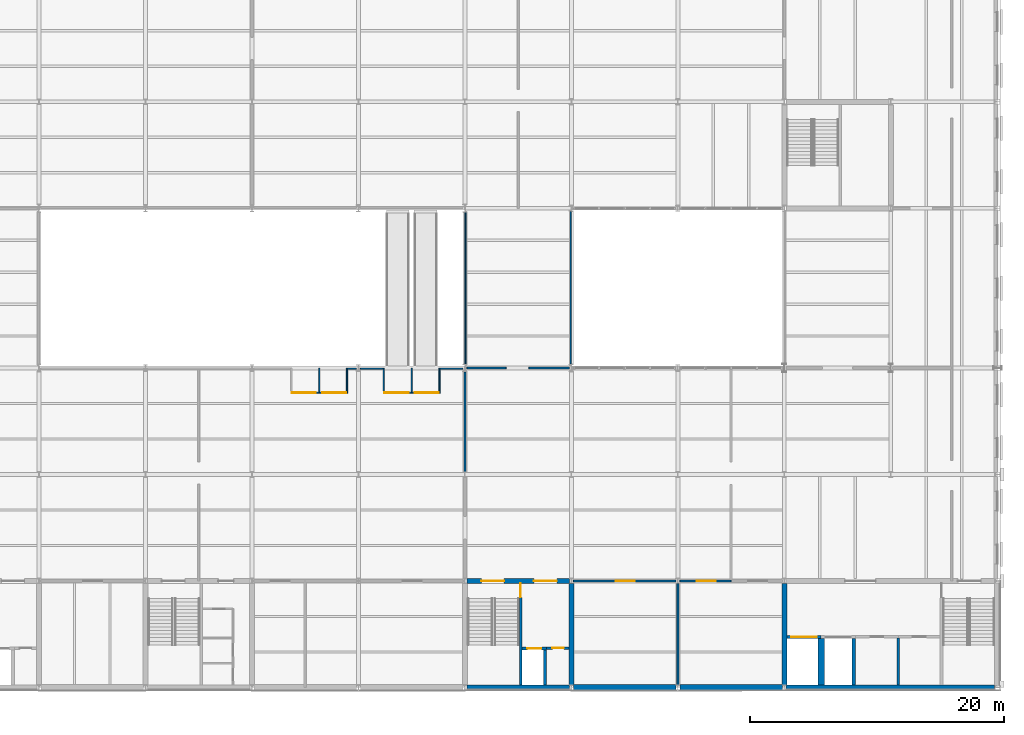
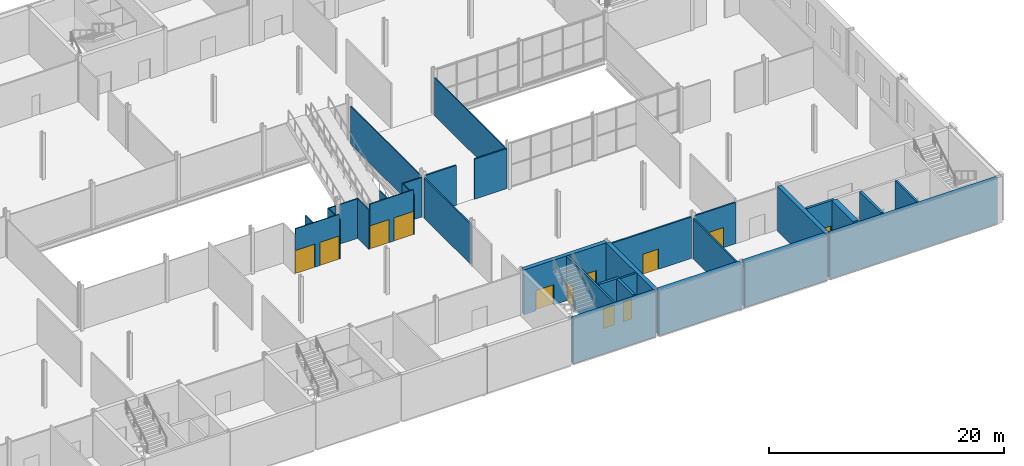
# One storey, part 31 of 57: 33 walls, 12 doors, 12 openings.
"""IFC4 building model written with IfcOpenShell, lengths in metres."""

from ifc_helpers import new_model, si_unit, direction, frame, frame_2d, origin, place, context, subcontext, project, spatial, rectangle, extrude, material, layer, layer_set, type_object, element, fill, save


model = new_model("IFC4")

# Units and contexts
model_context = context("Model", 3, precision=1e-05, world=origin(), true_north=direction((0.0, 1.0)))
body_context = subcontext(model_context, "Body", "Model", "MODEL_VIEW")
ifc_project = project(units=[si_unit("LENGTHUNIT", "METRE"), si_unit("AREAUNIT", "SQUARE_METRE"), si_unit("VOLUMEUNIT", "CUBIC_METRE"), si_unit("PLANEANGLEUNIT", "RADIAN"), si_unit("MASSUNIT", "GRAM", prefix="KILO")], contexts=[model_context])

# Site, building, storey
site_placement = place(None, origin())
site = spatial("IfcSite", under=ifc_project, at=site_placement, CompositionType="ELEMENT")
building_placement = place(site_placement, origin())
building = spatial("IfcBuilding", under=site, at=building_placement, Name="Galleria Vessillo Department Store", CompositionType="ELEMENT")
storey_placement = place(building_placement, frame((0.0, 0.0, 21.0)))
storey = spatial("IfcBuildingStorey", under=building, at=storey_placement, Name="L04", CompositionType="ELEMENT", Elevation=21.0)

# Walls
ifc_material_1 = material(Name="Fire-resisting glass in steel frame S355 J2", Category="steel")
ifc_layer_1 = layer(ifc_material_1, 0.10009765625)
ifc_layer_set_1 = layer_set([ifc_layer_1], Name="Fire-resisting glass in steel frame S355 J2")
wall_type_1 = type_object("IfcWallType", Name="Fire-resisting glazed screen EI 120-Sa 100 mm", PredefinedType="PARTITIONING", material=ifc_layer_set_1)
wall_1_placement = place(storey_placement, frame((66.349853515625, 25.14990234375, 0.0), z_axis=(0.0, 0.0, 1.0), x_axis=(1.0, 0.0, 0.0)))
element("IfcWall", 1, at=wall_1_placement, inside=storey, type_object=wall_type_1, Name="Fire screen, atrium edge L04", PredefinedType="PARTITIONING", context=body_context, shape_type="SweptSolid", body=[
    extrude(rectangle(XDim=0.697265625, YDim=0.10009765625, at=frame_2d((0.3486328125, 0.0))), origin(), (0.0, 0.0, 1.0), 4.110107421875),
])
wall_2_placement = place(storey_placement, frame((67.35302734375, 25.14990234375, 0.0), z_axis=(0.0, 0.0, 1.0), x_axis=(1.0, 0.0, 0.0)))
element("IfcWall", 2, at=wall_2_placement, inside=storey, type_object=wall_type_1, Name="Fire screen, atrium edge L04", PredefinedType="PARTITIONING", context=body_context, shape_type="SweptSolid", body=[
    extrude(rectangle(XDim=1.797119140625, YDim=0.10009765625, at=frame_2d((0.8984375, 0.0))), origin(), (0.0, 0.0, 1.0), 4.110107421875),
])
wall_3_placement = place(storey_placement, frame((73.64990234375, 25.14990234375, 0.0), z_axis=(0.0, 0.0, 1.0), x_axis=(1.0, 0.0, 0.0)))
element("IfcWall", 3, at=wall_3_placement, inside=storey, type_object=wall_type_1, Name="Fire screen, atrium edge L04", PredefinedType="PARTITIONING", context=body_context, shape_type="SweptSolid", body=[
    extrude(rectangle(XDim=1.797607421875, YDim=0.10009765625, at=frame_2d((0.89892578125, 0.0))), origin(), (0.0, 0.0, 1.0), 4.110107421875),
])
wall_4_placement = place(storey_placement, frame((75.64990234375, 25.510009765625, 0.0), z_axis=(0.0, 0.0, 1.0), x_axis=(0.0, 1.0, 0.0)))
element("IfcWall", 4, at=wall_4_placement, inside=storey, type_object=wall_type_1, Name="Fire screen, bridge face L04", PredefinedType="PARTITIONING", context=body_context, shape_type="SweptSolid", body=[
    extrude(rectangle(XDim=11.97998046875, YDim=0.10009765625, at=frame_2d((5.989990234375, 0.0))), origin(), (0.0, 0.0, 1.0), 3.960205078125),
])
wall_5_placement = place(storey_placement, frame((83.949951171875, 25.510009765625, 0.0), z_axis=(0.0, 0.0, 1.0), x_axis=(0.0, 1.0, 0.0)))
element("IfcWall", 5, at=wall_5_placement, inside=storey, type_object=wall_type_1, Name="Fire screen, bridge face L04", PredefinedType="PARTITIONING", context=body_context, shape_type="SweptSolid", body=[
    extrude(rectangle(XDim=12.051025390625, YDim=0.10009765625, at=frame_2d((6.025390625, 0.0))), origin(), (0.0, 0.0, 1.0), 3.960205078125),
])
wall_6_placement = place(storey_placement, frame((64.10009765625, 25.199951171875, 0.0), z_axis=(0.0, 0.0, 1.0), x_axis=(0.0, -1.0, 0.0)))
element("IfcWall", 6, at=wall_6_placement, inside=storey, type_object=wall_type_1, Name="Fire screen, landing alcove side L04", PredefinedType="PARTITIONING", context=body_context, shape_type="SweptSolid", body=[
    extrude(rectangle(XDim=1.89990234375, YDim=0.10009765625, at=frame_2d((0.949951171875, 0.0))), origin(), (0.0, 0.0, 1.0), 4.110107421875),
])
for number, where, z_axis, x_axis, name in (
    (7, (66.2998046875, 25.199951171875, 0.0), (0.0, 0.0, 1.0), (0.0, -1.0, 0.0), "Fire screen, landing alcove side L04"),
    (8, (69.2001953125, 25.199951171875, 0.0), (0.0, 0.0, 1.0), (0.0, -1.0, 0.0), "Fire screen, landing alcove side L04"),
):
    element("IfcWall", number, at=place(storey_placement, frame(where, z_axis=z_axis, x_axis=x_axis)), inside=storey, type_object=wall_type_1, Name=name, PredefinedType="PARTITIONING", context=body_context, shape_type="SweptSolid", body=[
        extrude(rectangle(XDim=2.0, YDim=0.10009765625, at=frame_2d((1.0, 0.0))), origin(), (0.0, 0.0, 1.0), 4.110107421875),
    ])
wall_7_placement = place(storey_placement, frame((71.400146484375, 25.199951171875, 0.0), z_axis=(0.0, 0.0, 1.0), x_axis=(0.0, -1.0, 0.0)))
element("IfcWall", 9, at=wall_7_placement, inside=storey, type_object=wall_type_1, Name="Fire screen, landing alcove side L04", PredefinedType="PARTITIONING", context=body_context, shape_type="SweptSolid", body=[
    extrude(rectangle(XDim=1.89990234375, YDim=0.10009765625, at=frame_2d((0.949951171875, 0.0))), origin(), (0.0, 0.0, 1.0), 4.110107421875),
])
wall_8_placement = place(storey_placement, frame((73.599853515625, 25.199951171875, 0.0), z_axis=(0.0, 0.0, 1.0), x_axis=(0.0, -1.0, 0.0)))
element("IfcWall", 10, at=wall_8_placement, inside=storey, type_object=wall_type_1, Name="Fire screen, landing alcove side L04", PredefinedType="PARTITIONING", context=body_context, shape_type="SweptSolid", body=[
    extrude(rectangle(XDim=2.0, YDim=0.10009765625, at=frame_2d((1.0, 0.0))), origin(), (0.0, 0.0, 1.0), 4.110107421875),
])

# Wall, openings, doors
wall_9_placement = place(storey_placement, frame((61.9501953125, 23.25, 0.0), z_axis=(0.0, 0.0, 1.0), x_axis=(1.0, 0.0, 0.0)))
wall_9 = element("IfcWall", 11, at=wall_9_placement, inside=storey, type_object=wall_type_1, Name="Fire screen, landing alcove back wall L04", PredefinedType="PARTITIONING", context=body_context, shape_type="SweptSolid", body=[
    extrude(rectangle(XDim=4.299560546875, YDim=0.10009765625, at=frame_2d((2.14990234375, 0.0))), origin(), (0.0, 0.0, 1.0), 4.64990234375),
])
opening_1_placement = place(wall_9_placement, origin())
opening_1 = element("IfcOpeningElement", 12, at=opening_1_placement, cuts=wall_9, Name="Opening D5363", PredefinedType="OPENING", context=body_context, shape_type="SweptSolid", body=[
    extrude(rectangle(XDim=1.90990234375, YDim=2.39990234375, at=frame_2d((0.945068359375, 1.199951171875))), frame((0.0, 0.06005859375, 0.0), z_axis=(0.0, -1.0, 0.0), x_axis=(1.0, 0.0, 0.0)), (0.0, 0.0, 1.0), 0.1201171875),
])
opening_2_placement = place(wall_9_placement, frame((2.399658203125, 0.0, 0.0)))
opening_2 = element("IfcOpeningElement", 13, at=opening_2_placement, cuts=wall_9, Name="Opening D5364", PredefinedType="OPENING", context=body_context, shape_type="SweptSolid", body=[
    extrude(rectangle(XDim=1.90990234375, YDim=2.39990234375, at=frame_2d((0.954833984375, 1.199951171875))), frame((0.0, 0.06005859375, 0.0), z_axis=(0.0, -1.0, 0.0), x_axis=(1.0, 0.0, 0.0)), (0.0, 0.0, 1.0), 0.1201171875),
])
ifc_material_2 = material(Name="Fire-resisting glazed door leaf in steel frame S355 J2", Category="steel")
door_type_1 = type_object("IfcDoorType", Name="Fire sliding door EI2 120-Sa 1900 x 2400 mm", OperationType="DOUBLE_DOOR_SLIDING", PredefinedType="DOOR", material=ifc_material_2)
door_1_placement = place(opening_1_placement, frame((1.89990234375, 0.0, 0.0), z_axis=(0.0, 0.0, 1.0), x_axis=(-1.0, 0.0, 0.0)))
door_1 = element("IfcDoor", 14, at=door_1_placement, inside=storey, type_object=door_type_1, Name="Fire sliding door, escalator landing L04-01", OperationType="DOUBLE_DOOR_SLIDING", OverallHeight=2.39990234375, OverallWidth=1.89990234375, PredefinedType="DOOR", context=body_context, shape_type="SweptSolid", body=[
    extrude(rectangle(XDim=1.89990234375, YDim=2.39990234375, at=frame_2d((0.949951171875, 1.199951171875))), frame((0.0, 0.02490234375, 0.0), z_axis=(0.0, -1.0, 0.0), x_axis=(1.0, 0.0, 0.0)), (0.0, 0.0, 1.0), 0.050048828125),
])
fill(opening_1, door_1)
door_2_placement = place(opening_2_placement, frame((1.89990234375, 0.0, 0.0), z_axis=(0.0, 0.0, 1.0), x_axis=(-1.0, 0.0, 0.0)))
door_2 = element("IfcDoor", 15, at=door_2_placement, inside=storey, type_object=door_type_1, Name="Fire sliding door, escalator landing L04-02", OperationType="DOUBLE_DOOR_SLIDING", OverallHeight=2.39990234375, OverallWidth=1.89990234375, PredefinedType="DOOR", context=body_context, shape_type="SweptSolid", body=[
    extrude(rectangle(XDim=1.89990234375, YDim=2.39990234375, at=frame_2d((0.949951171875, 1.199951171875))), frame((0.0, 0.02490234375, 0.0), z_axis=(0.0, -1.0, 0.0), x_axis=(1.0, 0.0, 0.0)), (0.0, 0.0, 1.0), 0.050048828125),
])
fill(opening_2, door_2)

wall_10_placement = place(storey_placement, frame((69.250244140625, 23.25, 0.0), z_axis=(0.0, 0.0, 1.0), x_axis=(1.0, 0.0, 0.0)))
wall_10 = element("IfcWall", 16, at=wall_10_placement, inside=storey, type_object=wall_type_1, Name="Fire screen, landing alcove back wall L04", PredefinedType="PARTITIONING", context=body_context, shape_type="SweptSolid", body=[
    extrude(rectangle(XDim=4.299560546875, YDim=0.10009765625, at=frame_2d((2.14990234375, 0.0))), origin(), (0.0, 0.0, 1.0), 4.64990234375),
])
opening_3_placement = place(wall_10_placement, origin())
opening_3 = element("IfcOpeningElement", 17, at=opening_3_placement, cuts=wall_10, Name="Opening D5365", PredefinedType="OPENING", context=body_context, shape_type="SweptSolid", body=[
    extrude(rectangle(XDim=1.90990234375, YDim=2.39990234375, at=frame_2d((0.945068359375, 1.199951171875))), frame((0.0, 0.06005859375, 0.0), z_axis=(0.0, -1.0, 0.0), x_axis=(1.0, 0.0, 0.0)), (0.0, 0.0, 1.0), 0.1201171875),
])
opening_4_placement = place(wall_10_placement, frame((2.399658203125, 0.0, 0.0)))
opening_4 = element("IfcOpeningElement", 18, at=opening_4_placement, cuts=wall_10, Name="Opening D5366", PredefinedType="OPENING", context=body_context, shape_type="SweptSolid", body=[
    extrude(rectangle(XDim=1.90990234375, YDim=2.39990234375, at=frame_2d((0.954833984375, 1.199951171875))), frame((0.0, 0.06005859375, 0.0), z_axis=(0.0, -1.0, 0.0), x_axis=(1.0, 0.0, 0.0)), (0.0, 0.0, 1.0), 0.1201171875),
])
door_3_placement = place(opening_3_placement, frame((1.89990234375, 0.0, 0.0), z_axis=(0.0, 0.0, 1.0), x_axis=(-1.0, 0.0, 0.0)))
door_3 = element("IfcDoor", 19, at=door_3_placement, inside=storey, type_object=door_type_1, Name="Fire sliding door, escalator landing L04-03", OperationType="DOUBLE_DOOR_SLIDING", OverallHeight=2.39990234375, OverallWidth=1.89990234375, PredefinedType="DOOR", context=body_context, shape_type="SweptSolid", body=[
    extrude(rectangle(XDim=1.89990234375, YDim=2.39990234375, at=frame_2d((0.949951171875, 1.199951171875))), frame((0.0, 0.02490234375, 0.0), z_axis=(0.0, -1.0, 0.0), x_axis=(1.0, 0.0, 0.0)), (0.0, 0.0, 1.0), 0.050048828125),
])
fill(opening_3, door_3)
door_4_placement = place(opening_4_placement, frame((1.89990234375, 0.0, 0.0), z_axis=(0.0, 0.0, 1.0), x_axis=(-1.0, 0.0, 0.0)))
door_4 = element("IfcDoor", 20, at=door_4_placement, inside=storey, type_object=door_type_1, Name="Fire sliding door, escalator landing L04-04", OperationType="DOUBLE_DOOR_SLIDING", OverallHeight=2.39990234375, OverallWidth=1.89990234375, PredefinedType="DOOR", context=body_context, shape_type="SweptSolid", body=[
    extrude(rectangle(XDim=1.89990234375, YDim=2.39990234375, at=frame_2d((0.949951171875, 1.199951171875))), frame((0.0, 0.02490234375, 0.0), z_axis=(0.0, -1.0, 0.0), x_axis=(1.0, 0.0, 0.0)), (0.0, 0.0, 1.0), 0.050048828125),
])
fill(opening_4, door_4)

# Wall
ifc_material_3 = material(Name="Solid clay block masonry", Category="masonry")
ifc_layer_2 = layer(ifc_material_3, 0.5)
ifc_layer_set_2 = layer_set([ifc_layer_2], Name="Solid clay block masonry")
wall_type_2 = type_object("IfcWallType", Name="Lift shaft partition wall 500 mm", PredefinedType="SOLIDWALL", material=ifc_layer_set_2)
wall_11_placement = place(storey_placement, frame((103.699951171875, 0.199951171875, 0.0), z_axis=(0.0, 0.0, 1.0), x_axis=(0.0, 1.0, 0.0)))
element("IfcWall", 21, at=wall_11_placement, inside=storey, type_object=wall_type_2, Name="Lift shaft partition wall GL1 L04", PredefinedType="SOLIDWALL", context=body_context, shape_type="SweptSolid", body=[
    extrude(rectangle(XDim=3.650146484375, YDim=0.5, at=frame_2d((1.8251953125, 0.0))), origin(), (0.0, 0.0, 1.0), 4.800048828125),
])

# Wall, opening, door
ifc_material_4 = material(Name="Solid clay block masonry", Category="masonry")
ifc_layer_3 = layer(ifc_material_4, 0.25)
ifc_layer_set_3 = layer_set([ifc_layer_3], Name="Solid clay block masonry")
wall_type_3 = type_object("IfcWallType", Name="Lift shaft wall 250 mm", PredefinedType="SOLIDWALL", material=ifc_layer_set_3)
wall_12_placement = place(storey_placement, frame((80.10009765625, 3.074951171875, 0.0), z_axis=(0.0, 0.0, 1.0), x_axis=(1.0, 0.0, 0.0)))
wall_12 = element("IfcWall", 22, at=wall_12_placement, inside=storey, type_object=wall_type_3, Name="Lift shaft wall LP5 landing side L04", PredefinedType="SOLIDWALL", context=body_context, shape_type="SweptSolid", body=[
    extrude(rectangle(XDim=1.949951171875, YDim=0.25, at=frame_2d((0.97509765625, 0.0))), origin(), (0.0, 0.0, 1.0), 4.800048828125),
])
opening_5_placement = place(wall_12_placement, frame((0.4248046875, 0.0, 0.0)))
opening_5 = element("IfcOpeningElement", 23, at=opening_5_placement, cuts=wall_12, Name="Opening LD039", PredefinedType="OPENING", context=body_context, shape_type="SweptSolid", body=[
    extrude(rectangle(XDim=1.10009765625, YDim=2.10009765625, at=frame_2d((0.550048828125, 1.050048828125))), frame((0.0, 0.135009765625, 0.0), z_axis=(0.0, -1.0, 0.0), x_axis=(1.0, 0.0, 0.0)), (0.0, 0.0, 1.0), 0.27001953125),
])
ifc_material_5 = material(Name="Stainless steel lift door panel", Category="steel")
door_type_2 = type_object("IfcDoorType", Name="Lift landing door LD110 sliding 1100 x 2100", OperationType="SLIDING_TO_LEFT", PredefinedType="DOOR", material=ifc_material_5)
door_5_placement = place(opening_5_placement, origin())
door_5 = element("IfcDoor", 24, at=door_5_placement, inside=storey, type_object=door_type_2, Name="Lift landing door LP5 L04", OperationType="SLIDING_TO_LEFT", OverallHeight=2.10009765625, OverallWidth=1.10009765625, PredefinedType="DOOR", context=body_context, shape_type="SweptSolid", body=[
    extrude(rectangle(XDim=1.10009765625, YDim=2.10009765625, at=frame_2d((0.550048828125, 1.050048828125))), frame((0.0, 0.02490234375, 0.0), z_axis=(0.0, -1.0, 0.0), x_axis=(1.0, 0.0, 0.0)), (0.0, 0.0, 1.0), 0.050048828125),
])
fill(opening_5, door_5)

# Wall
wall_13_placement = place(storey_placement, frame((81.925048828125, 0.199951171875, 0.0), z_axis=(0.0, 0.0, 1.0), x_axis=(0.0, 1.0, 0.0)))
element("IfcWall", 25, at=wall_13_placement, inside=storey, type_object=wall_type_3, Name="Lift shaft wall LP5 L04", PredefinedType="SOLIDWALL", context=body_context, shape_type="SweptSolid", body=[
    extrude(rectangle(XDim=2.75, YDim=0.25, at=frame_2d((1.375, 0.0))), origin(), (0.0, 0.0, 1.0), 4.800048828125),
])

# Wall, opening, door
wall_14_placement = place(storey_placement, frame((101.0, 3.97509765625, 0.0), z_axis=(0.0, 0.0, 1.0), x_axis=(1.0, 0.0, 0.0)))
wall_14 = element("IfcWall", 26, at=wall_14_placement, inside=storey, type_object=wall_type_3, Name="Lift shaft wall GL1 landing side L04", PredefinedType="SOLIDWALL", context=body_context, shape_type="SweptSolid", body=[
    extrude(rectangle(XDim=2.699951171875, YDim=0.25, at=frame_2d((1.35009765625, 0.0))), origin(), (0.0, 0.0, 1.0), 4.800048828125),
])
opening_6_placement = place(wall_14_placement, frame((0.35009765625, 0.0, 0.0)))
opening_6 = element("IfcOpeningElement", 27, at=opening_6_placement, cuts=wall_14, Name="Opening LD061", PredefinedType="OPENING", context=body_context, shape_type="SweptSolid", body=[
    extrude(rectangle(XDim=2.0, YDim=2.199951171875, at=frame_2d((1.0, 1.10009765625))), frame((0.0, 0.135009765625, 0.0), z_axis=(0.0, -1.0, 0.0), x_axis=(1.0, 0.0, 0.0)), (0.0, 0.0, 1.0), 0.27001953125),
])
ifc_material_6 = material(Name="Stainless steel lift door panel", Category="steel")
door_type_3 = type_object("IfcDoorType", Name="Lift landing door LD200 sliding 2000 x 2200", OperationType="DOUBLE_DOOR_SLIDING", PredefinedType="DOOR", material=ifc_material_6)
door_6_placement = place(opening_6_placement, origin())
door_6 = element("IfcDoor", 28, at=door_6_placement, inside=storey, type_object=door_type_3, Name="Lift landing door GL1 L04", OperationType="DOUBLE_DOOR_SLIDING", OverallHeight=2.199951171875, OverallWidth=2.0, PredefinedType="DOOR", context=body_context, shape_type="SweptSolid", body=[
    extrude(rectangle(XDim=2.0, YDim=2.199951171875, at=frame_2d((1.0, 1.10009765625))), frame((0.0, 0.02490234375, 0.0), z_axis=(0.0, -1.0, 0.0), x_axis=(1.0, 0.0, 0.0)), (0.0, 0.0, 1.0), 0.050048828125),
])
fill(opening_6, door_6)

# Wall
wall_15_placement = place(storey_placement, frame((106.27490234375, 0.199951171875, 0.0), z_axis=(0.0, 0.0, 1.0), x_axis=(0.0, 1.0, 0.0)))
element("IfcWall", 29, at=wall_15_placement, inside=storey, type_object=wall_type_3, Name="Lift shaft wall GL2 L04", PredefinedType="SOLIDWALL", context=body_context, shape_type="SweptSolid", body=[
    extrude(rectangle(XDim=3.650146484375, YDim=0.25, at=frame_2d((1.8251953125, 0.0))), origin(), (0.0, 0.0, 1.0), 4.800048828125),
])

# Wall, openings, doors
ifc_material_7 = material(Name="Concrete C32/40 reinforced", Category="concrete")
ifc_layer_4 = layer(ifc_material_7, 0.39990234375)
ifc_layer_set_4 = layer_set([ifc_layer_4], Name="Concrete C32/40 reinforced")
wall_type_4 = type_object("IfcWallType", Name="Reinforced concrete core wall 400 mm", PredefinedType="SHEAR", material=ifc_layer_set_4)
wall_16_placement = place(storey_placement, frame((75.75, 8.39990234375, 0.0), z_axis=(0.0, 0.0, 1.0), x_axis=(1.0, 0.0, 0.0)))
wall_16 = element("IfcWall", 30, at=wall_16_placement, inside=storey, type_object=wall_type_4, Name="S-CW-PC-SE-INTERIOR-L04", PredefinedType="SHEAR", context=body_context, shape_type="SweptSolid", body=[
    extrude(rectangle(XDim=8.10009765625, YDim=0.39990234375, at=frame_2d((4.050048828125, 0.0))), origin(), (0.0, 0.0, 1.0), 4.650146484375),
])
opening_7_placement = place(wall_16_placement, frame((1.14990234375, 0.0, 0.0)))
opening_7 = element("IfcOpeningElement", 31, at=opening_7_placement, cuts=wall_16, Name="Opening D5152", PredefinedType="OPENING", context=body_context, shape_type="SweptSolid", body=[
    extrude(rectangle(XDim=1.800048828125, YDim=2.10009765625, at=frame_2d((0.89990234375, 1.050048828125))), frame((0.0, 0.2099609375, 0.0), z_axis=(0.0, -1.0, 0.0), x_axis=(1.0, 0.0, 0.0)), (0.0, 0.0, 1.0), 0.419921875),
])
opening_8_placement = place(wall_16_placement, frame((5.2998046875, 0.0, 0.0)))
opening_8 = element("IfcOpeningElement", 32, at=opening_8_placement, cuts=wall_16, Name="Opening D5153", PredefinedType="OPENING", context=body_context, shape_type="SweptSolid", body=[
    extrude(rectangle(XDim=1.800048828125, YDim=2.10009765625, at=frame_2d((0.89990234375, 1.050048828125))), frame((0.0, 0.2099609375, 0.0), z_axis=(0.0, -1.0, 0.0), x_axis=(1.0, 0.0, 0.0)), (0.0, 0.0, 1.0), 0.419921875),
])
ifc_material_8 = material(Name="Fire-rated steel door leaf", Category="steel")
door_type_4 = type_object("IfcDoorType", Name="Door D180F double leaf 1800 x 2100", OperationType="DOUBLE_DOOR_SINGLE_SWING", PredefinedType="DOOR", material=ifc_material_8)
door_7_placement = place(opening_7_placement, frame((1.800048828125, 0.0, 0.0), z_axis=(0.0, 0.0, 1.0), x_axis=(-1.0, 0.0, 0.0)))
door_7 = element("IfcDoor", 33, at=door_7_placement, inside=storey, type_object=door_type_4, Name="Lobby door PC-SE-ST-FLOOR L04", OperationType="DOUBLE_DOOR_SINGLE_SWING", OverallHeight=2.10009765625, OverallWidth=1.800048828125, PredefinedType="DOOR", context=body_context, shape_type="SweptSolid", body=[
    extrude(rectangle(XDim=1.800048828125, YDim=2.10009765625, at=frame_2d((0.89990234375, 1.050048828125))), frame((0.0, 0.02490234375, 0.0), z_axis=(0.0, -1.0, 0.0), x_axis=(1.0, 0.0, 0.0)), (0.0, 0.0, 1.0), 0.050048828125),
])
fill(opening_7, door_7)
door_8_placement = place(opening_8_placement, frame((1.800048828125, 0.0, 0.0), z_axis=(0.0, 0.0, 1.0), x_axis=(-1.0, 0.0, 0.0)))
door_8 = element("IfcDoor", 34, at=door_8_placement, inside=storey, type_object=door_type_4, Name="Lobby door PC-SE-LOBBY-FLOOR L04", OperationType="DOUBLE_DOOR_SINGLE_SWING", OverallHeight=2.10009765625, OverallWidth=1.800048828125, PredefinedType="DOOR", context=body_context, shape_type="SweptSolid", body=[
    extrude(rectangle(XDim=1.800048828125, YDim=2.10009765625, at=frame_2d((0.89990234375, 1.050048828125))), frame((0.0, 0.02490234375, 0.0), z_axis=(0.0, -1.0, 0.0), x_axis=(1.0, 0.0, 0.0)), (0.0, 0.0, 1.0), 0.050048828125),
])
fill(opening_8, door_8)

# Walls
for number, where, z_axis, x_axis, name in (
    (35, (84.0, 0.199951171875, 0.0), (0.0, 0.0, 1.0), (0.0, 1.0, 0.0), "S-CW-PC-SE-EAST-L04"),
    (36, (100.800048828125, 0.199951171875, 0.0), (0.0, 0.0, 1.0), (0.0, 1.0, 0.0), "S-CW-GC-WEST-L04"),
):
    element("IfcWall", number, at=place(storey_placement, frame(where, z_axis=z_axis, x_axis=x_axis)), inside=storey, type_object=wall_type_4, Name=name, PredefinedType="SHEAR", context=body_context, shape_type="SweptSolid", body=[
        extrude(rectangle(XDim=8.0, YDim=0.39990234375, at=frame_2d((4.0, 0.0))), origin(), (0.0, 0.0, 1.0), 4.650146484375),
    ])
ifc_material_9 = material(Name="Concrete C32/40 reinforced", Category="concrete")
ifc_layer_5 = layer(ifc_material_9, 0.39990234375)
ifc_layer_set_5 = layer_set([ifc_layer_5], Name="Concrete C32/40 reinforced")
wall_type_5 = type_object("IfcWallType", Name="Reinforced concrete core wall 400 mm, external", PredefinedType="SHEAR", material=ifc_layer_set_5)
wall_17_placement = place(storey_placement, frame((75.75, 0.0, 0.0), z_axis=(0.0, 0.0, 1.0), x_axis=(1.0, 0.0, 0.0)))
element("IfcWall", 37, at=wall_17_placement, inside=storey, type_object=wall_type_5, Name="S-CW-PC-SE-PARTY-L04", PredefinedType="SHEAR", context=body_context, shape_type="SweptSolid", body=[
    extrude(rectangle(XDim=8.10009765625, YDim=0.39990234375, at=frame_2d((4.050048828125, 0.0))), origin(), (0.0, 0.0, 1.0), 4.650146484375),
])
wall_18_placement = place(storey_placement, frame((100.949951171875, 0.0, 0.0), z_axis=(0.0, 0.0, 1.0), x_axis=(1.0, 0.0, 0.0)))
element("IfcWall", 38, at=wall_18_placement, inside=storey, type_object=wall_type_5, Name="S-CW-GC-PARTY-L04", PredefinedType="SHEAR", context=body_context, shape_type="SweptSolid", body=[
    extrude(rectangle(XDim=16.4501953125, YDim=0.39990234375, at=frame_2d((8.22509765625, 0.0))), origin(), (0.0, 0.0, 1.0), 4.650146484375),
])
ifc_material_10 = material(Name="Concrete C32/40 reinforced", Category="concrete")
ifc_layer_6 = layer(ifc_material_10, 0.5)
ifc_layer_set_6 = layer_set([ifc_layer_6], Name="Concrete C32/40 reinforced")
wall_type_6 = type_object("IfcWallType", Name="Reinforced concrete party wall 500 mm", PredefinedType="SHEAR", material=ifc_layer_set_6)
wall_19_placement = place(storey_placement, frame((84.14990234375, 0.0, 0.0), z_axis=(0.0, 0.0, 1.0), x_axis=(1.0, 0.0, 0.0)))
element("IfcWall", 39, at=wall_19_placement, inside=storey, type_object=wall_type_6, Name="S-PS-L04-07", PredefinedType="SHEAR", context=body_context, shape_type="SweptSolid", body=[
    extrude(rectangle(XDim=8.10009765625, YDim=0.5, at=frame_2d((4.050048828125, 0.0))), origin(), (0.0, 0.0, 1.0), 4.650146484375),
])
wall_20_placement = place(storey_placement, frame((92.5498046875, 0.0, 0.0), z_axis=(0.0, 0.0, 1.0), x_axis=(1.0, 0.0, 0.0)))
element("IfcWall", 40, at=wall_20_placement, inside=storey, type_object=wall_type_6, Name="S-PS-L04-08", PredefinedType="SHEAR", context=body_context, shape_type="SweptSolid", body=[
    extrude(rectangle(XDim=8.100341796875, YDim=0.5, at=frame_2d((4.05029296875, 0.0))), origin(), (0.0, 0.0, 1.0), 4.650146484375),
])

# Wall, opening, door
ifc_material_11 = material(Name="Concrete C32/40 reinforced", Category="concrete")
ifc_layer_7 = layer(ifc_material_11, 0.199951171875)
ifc_layer_set_7 = layer_set([ifc_layer_7], Name="Concrete C32/40 reinforced")
wall_type_7 = type_object("IfcWallType", Name="Reinforced concrete stair enclosure wall 200 mm", PredefinedType="SHEAR", material=ifc_layer_set_7)
wall_21_placement = place(storey_placement, frame((80.0, 0.199951171875, 0.0), z_axis=(0.0, 0.0, 1.0), x_axis=(0.0, 1.0, 0.0)))
wall_21 = element("IfcWall", 41, at=wall_21_placement, inside=storey, type_object=wall_type_7, Name="Stair enclosure wall PC-SE L04", PredefinedType="SHEAR", context=body_context, shape_type="SweptSolid", body=[
    extrude(rectangle(XDim=8.0, YDim=0.199951171875, at=frame_2d((4.0, 0.0))), origin(), (0.0, 0.0, 1.0), 4.64990234375),
])
opening_9_placement = place(wall_21_placement, frame((6.89990234375, 0.0, 0.0)))
opening_9 = element("IfcOpeningElement", 42, at=opening_9_placement, cuts=wall_21, Name="Opening D5150", PredefinedType="OPENING", context=body_context, shape_type="SweptSolid", body=[
    extrude(rectangle(XDim=1.11009765625, YDim=2.10009765625, at=frame_2d((0.554931640625, 1.050048828125))), frame((0.0, 0.10986328125, 0.0), z_axis=(0.0, -1.0, 0.0), x_axis=(1.0, 0.0, 0.0)), (0.0, 0.0, 1.0), 0.219970703125),
])
ifc_material_12 = material(Name="Fire-rated steel door leaf", Category="steel")
door_type_5 = type_object("IfcDoorType", Name="Door D110F stair door 1100 x 2100", OperationType="SINGLE_SWING_LEFT", PredefinedType="DOOR", material=ifc_material_12)
door_9_placement = place(opening_9_placement, origin())
door_9 = element("IfcDoor", 43, at=door_9_placement, inside=storey, type_object=door_type_5, Name="Stair door PC-SE-ST-LOBBY L04", OperationType="SINGLE_SWING_RIGHT", OverallHeight=2.10009765625, OverallWidth=1.10009765625, PredefinedType="DOOR", context=body_context, shape_type="SweptSolid", body=[
    extrude(rectangle(XDim=1.10009765625, YDim=2.10009765625, at=frame_2d((0.550048828125, 1.050048828125))), frame((0.0, 0.02490234375, 0.0), z_axis=(0.0, -1.0, 0.0), x_axis=(1.0, 0.0, 0.0)), (0.0, 0.0, 1.0), 0.050048828125),
])
fill(opening_9, door_9)

ifc_material_13 = material(Name="Hollow clay block masonry", Category="masonry")
ifc_layer_8 = layer(ifc_material_13, 0.199951171875)
ifc_layer_set_8 = layer_set([ifc_layer_8], Name="Hollow clay block masonry")
wall_type_8 = type_object("IfcWallType", Name="Riser and service room wall 200 mm", PredefinedType="PARTITIONING", material=ifc_layer_set_8)
wall_22_placement = place(storey_placement, frame((82.050048828125, 3.099853515625, 0.0), z_axis=(0.0, 0.0, 1.0), x_axis=(1.0, 0.0, 0.0)))
wall_22 = element("IfcWall", 44, at=wall_22_placement, inside=storey, type_object=wall_type_8, Name="Riser wall PC-SE-RISER L04", PredefinedType="PARTITIONING", context=body_context, shape_type="SweptSolid", body=[
    extrude(rectangle(XDim=1.75, YDim=0.199951171875, at=frame_2d((0.875, 0.0))), origin(), (0.0, 0.0, 1.0), 4.64990234375),
])
opening_10_placement = place(wall_22_placement, frame((0.449951171875, 0.0, 0.0)))
opening_10 = element("IfcOpeningElement", 45, at=opening_10_placement, cuts=wall_22, Name="Opening D5151", PredefinedType="OPENING", context=body_context, shape_type="SweptSolid", body=[
    extrude(rectangle(XDim=0.89990234375, YDim=2.10009765625, at=frame_2d((0.449951171875, 1.050048828125))), frame((0.0, 0.10986328125, 0.0), z_axis=(0.0, -1.0, 0.0), x_axis=(1.0, 0.0, 0.0)), (0.0, 0.0, 1.0), 0.219970703125),
])
ifc_material_14 = material(Name="Fire-rated steel door leaf", Category="steel")
door_type_6 = type_object("IfcDoorType", Name="Door DR90 riser access 900 x 2100", OperationType="SINGLE_SWING_LEFT", PredefinedType="DOOR", material=ifc_material_14)
door_10_placement = place(opening_10_placement, frame((0.89990234375, 0.0, 0.0), z_axis=(0.0, 0.0, 1.0), x_axis=(-1.0, 0.0, 0.0)))
door_10 = element("IfcDoor", 46, at=door_10_placement, inside=storey, type_object=door_type_6, Name="Riser door PC-SE-RISER-D L04", OperationType="SINGLE_SWING_LEFT", OverallHeight=2.10009765625, OverallWidth=0.89990234375, PredefinedType="DOOR", context=body_context, shape_type="SweptSolid", body=[
    extrude(rectangle(XDim=0.89990234375, YDim=2.10009765625, at=frame_2d((0.449951171875, 1.050048828125))), frame((0.0, 0.02490234375, 0.0), z_axis=(0.0, -1.0, 0.0), x_axis=(1.0, 0.0, 0.0)), (0.0, 0.0, 1.0), 0.050048828125),
])
fill(opening_10, door_10)

# Walls
wall_23_placement = place(storey_placement, frame((109.800048828125, 0.199951171875, 0.0), z_axis=(0.0, 0.0, 1.0), x_axis=(0.0, 1.0, 0.0)))
element("IfcWall", 47, at=wall_23_placement, inside=storey, type_object=wall_type_8, Name="Service room partition GC L04", PredefinedType="PARTITIONING", context=body_context, shape_type="SweptSolid", body=[
    extrude(rectangle(XDim=3.7001953125, YDim=0.199951171875, at=frame_2d((1.85009765625, 0.0))), origin(), (0.0, 0.0, 1.0), 4.64990234375),
])
ifc_material_15 = material(Name="Gypsum board partition")
ifc_layer_9 = layer(ifc_material_15, 0.139892578125)
ifc_layer_set_9 = layer_set([ifc_layer_9], Name="Gypsum board partition")
wall_type_9 = type_object("IfcWallType", Name="Sales dividing wall 140 mm", PredefinedType="PARTITIONING", material=ifc_layer_set_9)
wall_24_placement = place(storey_placement, frame((75.60009765625, 17.0, 0.0), z_axis=(0.0, 0.0, 1.0), x_axis=(0.0, 1.0, 0.0)))
element("IfcWall", 48, at=wall_24_placement, inside=storey, type_object=wall_type_9, Name="Partition wall PT3 on L04 no. 048", PredefinedType="PARTITIONING", context=body_context, shape_type="SweptSolid", body=[
    extrude(rectangle(XDim=7.889892578125, YDim=0.139892578125, at=frame_2d((3.94482421875, 0.0))), origin(), (0.0, 0.0, 1.0), 4.159912109375),
])
wall_25_placement = place(storey_placement, frame((75.752685546875, 25.199951171875, 0.0), z_axis=(0.0, 0.0, 1.0), x_axis=(1.0, 0.0, 0.0)))
element("IfcWall", 49, at=wall_25_placement, inside=storey, type_object=wall_type_9, Name="Partition wall PT3 on L04 no. 051", PredefinedType="PARTITIONING", context=body_context, shape_type="SweptSolid", body=[
    extrude(rectangle(XDim=3.099853515625, YDim=0.139892578125, at=frame_2d((1.5498046875, 0.0))), origin(), (0.0, 0.0, 1.0), 4.159912109375),
])
wall_26_placement = place(storey_placement, frame((80.652587890625, 25.199951171875, 0.0), z_axis=(0.0, 0.0, 1.0), x_axis=(1.0, 0.0, 0.0)))
element("IfcWall", 50, at=wall_26_placement, inside=storey, type_object=wall_type_9, Name="Partition wall PT3 on L04 no. 052", PredefinedType="PARTITIONING", context=body_context, shape_type="SweptSolid", body=[
    extrude(rectangle(XDim=3.19482421875, YDim=0.139892578125, at=frame_2d((1.597412109375, 0.0))), origin(), (0.0, 0.0, 1.0), 4.159912109375),
])
ifc_material_16 = material(Name="Concrete blockwork", Category="masonry")
ifc_layer_10 = layer(ifc_material_16, 0.14990234375)
ifc_layer_set_10 = layer_set([ifc_layer_10], Name="Concrete blockwork")
wall_type_10 = type_object("IfcWallType", Name="Stockroom blockwork wall 150 mm", PredefinedType="SOLIDWALL", material=ifc_layer_set_10)
wall_27_placement = place(storey_placement, frame((92.39990234375, 0.199951171875, 0.0), z_axis=(0.0, 0.0, 1.0), x_axis=(0.0, 1.0, 0.0)))
element("IfcWall", 51, at=wall_27_placement, inside=storey, type_object=wall_type_10, Name="Partition wall PT4 on L04 no. 023", PredefinedType="SOLIDWALL", context=body_context, shape_type="SweptSolid", body=[
    extrude(rectangle(XDim=8.0, YDim=0.14990234375, at=frame_2d((4.0, 0.0))), origin(), (0.0, 0.0, 1.0), 4.159912109375),
])

# Wall, opening, door
wall_28_placement = place(storey_placement, frame((84.14990234375, 8.39990234375, 0.0), z_axis=(0.0, 0.0, 1.0), x_axis=(1.0, 0.0, 0.0)))
wall_28 = element("IfcWall", 52, at=wall_28_placement, inside=storey, type_object=wall_type_10, Name="Partition wall PT4 on L04 no. 024", PredefinedType="SOLIDWALL", context=body_context, shape_type="SweptSolid", body=[
    extrude(rectangle(XDim=8.10009765625, YDim=0.14990234375, at=frame_2d((4.050048828125, 0.0))), origin(), (0.0, 0.0, 1.0), 4.300048828125),
])
opening_11_placement = place(wall_28_placement, frame((3.35009765625, 0.0, 0.0)))
opening_11 = element("IfcOpeningElement", 53, at=opening_11_placement, cuts=wall_28, Name="Opening D2613", PredefinedType="OPENING", context=body_context, shape_type="SweptSolid", body=[
    extrude(rectangle(XDim=1.5, YDim=2.10009765625, at=frame_2d((0.75, 1.050048828125))), frame((0.0, 0.0849609375, 0.0), z_axis=(0.0, -1.0, 0.0), x_axis=(1.0, 0.0, 0.0)), (0.0, 0.0, 1.0), 0.169921875),
])
ifc_material_17 = material(Name="Steel fire door leaf", Category="steel")
door_type_7 = type_object("IfcDoorType", Name="Stockroom fire door 1500 double leaf", OperationType="DOUBLE_DOOR_SINGLE_SWING", PredefinedType="DOOR", material=ifc_material_17)
door_11_placement = place(opening_11_placement, frame((1.5, 0.0, 0.0), z_axis=(0.0, 0.0, 1.0), x_axis=(-1.0, 0.0, 0.0)))
door_11 = element("IfcDoor", 54, at=door_11_placement, inside=storey, type_object=door_type_7, Name="Door D2613", OperationType="DOUBLE_DOOR_SINGLE_SWING", OverallHeight=2.10009765625, OverallWidth=1.5, PredefinedType="DOOR", context=body_context, shape_type="SweptSolid", body=[
    extrude(rectangle(XDim=1.5, YDim=2.10009765625, at=frame_2d((0.75, 1.050048828125))), frame((0.0, 0.02490234375, 0.0), z_axis=(0.0, -1.0, 0.0), x_axis=(1.0, 0.0, 0.0)), (0.0, 0.0, 1.0), 0.050048828125),
])
fill(opening_11, door_11)

wall_29_placement = place(storey_placement, frame((92.5498046875, 8.39990234375, 0.0), z_axis=(0.0, 0.0, 1.0), x_axis=(1.0, 0.0, 0.0)))
wall_29 = element("IfcWall", 55, at=wall_29_placement, inside=storey, type_object=wall_type_10, Name="Partition wall PT4 on L04 no. 025", PredefinedType="SOLIDWALL", context=body_context, shape_type="SweptSolid", body=[
    extrude(rectangle(XDim=4.05029296875, YDim=0.14990234375, at=frame_2d((2.025146484375, 0.0))), origin(), (0.0, 0.0, 1.0), 4.300048828125),
])
opening_12_placement = place(wall_29_placement, frame((1.35009765625, 0.0, 0.0)))
opening_12 = element("IfcOpeningElement", 56, at=opening_12_placement, cuts=wall_29, Name="Opening D2614", PredefinedType="OPENING", context=body_context, shape_type="SweptSolid", body=[
    extrude(rectangle(XDim=1.5, YDim=2.10009765625, at=frame_2d((0.75, 1.050048828125))), frame((0.0, 0.0849609375, 0.0), z_axis=(0.0, -1.0, 0.0), x_axis=(1.0, 0.0, 0.0)), (0.0, 0.0, 1.0), 0.169921875),
])
door_12_placement = place(opening_12_placement, frame((1.5, 0.0, 0.0), z_axis=(0.0, 0.0, 1.0), x_axis=(-1.0, 0.0, 0.0)))
door_12 = element("IfcDoor", 57, at=door_12_placement, inside=storey, type_object=door_type_7, Name="Door D2614", OperationType="DOUBLE_DOOR_SINGLE_SWING", OverallHeight=2.10009765625, OverallWidth=1.5, PredefinedType="DOOR", context=body_context, shape_type="SweptSolid", body=[
    extrude(rectangle(XDim=1.5, YDim=2.10009765625, at=frame_2d((0.75, 1.050048828125))), frame((0.0, 0.02490234375, 0.0), z_axis=(0.0, -1.0, 0.0), x_axis=(1.0, 0.0, 0.0)), (0.0, 0.0, 1.0), 0.050048828125),
])
fill(opening_12, door_12)

save(model, "model.ifc")
